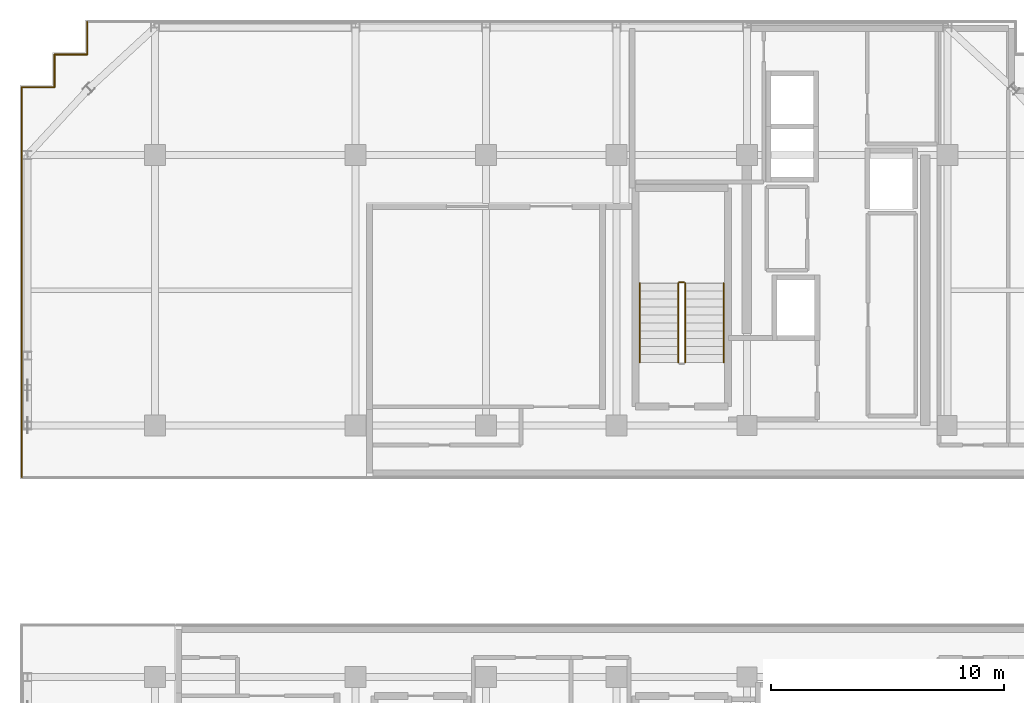
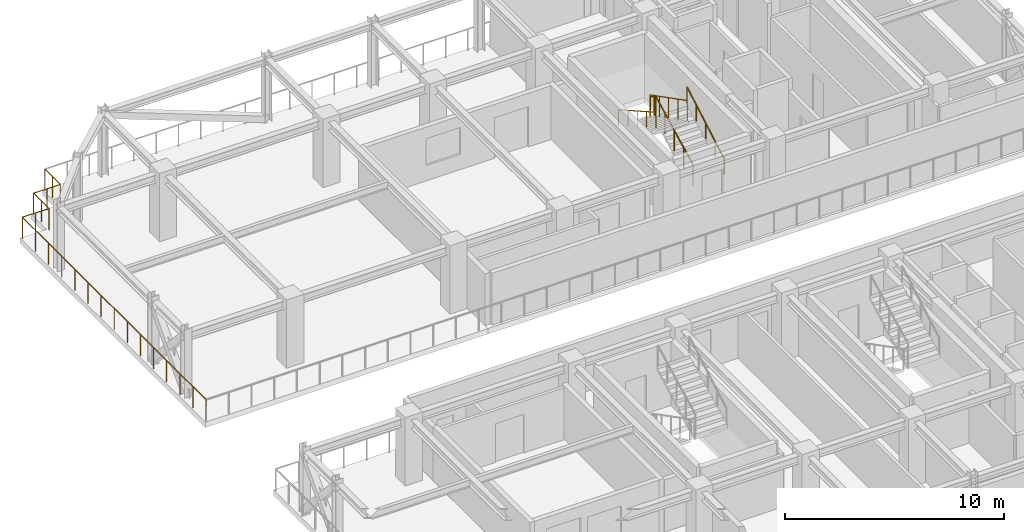
# One storey, part 13 of 14: 10 railings.
"""IFC4 building model written with IfcOpenShell, lengths in metres."""

from ifc_helpers import new_model, si_unit, direction, frame, origin, origin_2d, place, context, subcontext, project, spatial, circle, extrude, material, type_object, element, save


model = new_model("IFC4")

# Units and contexts
model_context = context("Model", 3, precision=1e-05, world=origin(), true_north=direction((0.0, 1.0)))
body_context = subcontext(model_context, "Body", "Model", "MODEL_VIEW")
ifc_project = project(units=[si_unit("LENGTHUNIT", "METRE"), si_unit("AREAUNIT", "SQUARE_METRE"), si_unit("VOLUMEUNIT", "CUBIC_METRE"), si_unit("PLANEANGLEUNIT", "RADIAN"), si_unit("MASSUNIT", "GRAM", prefix="KILO")], contexts=[model_context])

# Site, building, storey
site_placement = place(None, origin())
site = spatial("IfcSite", under=ifc_project, at=site_placement, CompositionType="ELEMENT")
building_placement = place(site_placement, origin())
building = spatial("IfcBuilding", under=site, at=building_placement, Name="Nahalor Promenade Grand Hotel", CompositionType="ELEMENT")
storey_placement = place(building_placement, frame((0.0, 0.0, 296.5)))
storey = spatial("IfcBuildingStorey", under=building, at=storey_placement, Name="L76", CompositionType="ELEMENT", Elevation=296.5)

# Railings
ifc_material_1 = material(Name="Anodised Bronze Aluminium EN AW-6063 T6", Category="aluminium")
railing_type_1 = type_object("IfcRailingType", Name="Bronze Balcony Guardrail 1200 mm", PredefinedType="GUARDRAIL", material=ifc_material_1)
railing_1_placement = place(storey_placement, frame((-19.919921875, 22.719970703125, 0.0)))
element("IfcRailing", 1, at=railing_1_placement, inside=storey, type_object=railing_type_1, Name="L76 Edge Guardrail RL-L76-WP-N-8", PredefinedType="GUARDRAIL", context=body_context, shape_type="SweptSolid", body=[
    extrude(circle(Radius=0.024048, at=origin_2d()), frame((0.0, 0.0, 1.17578125), z_axis=(0.0, -1.0, 0.0), x_axis=(1.0, 0.0, 0.0)), (0.0, 0.0, 1.0), 1.39990234375),
    extrude(circle(Radius=0.020996, at=origin_2d()), origin(), (0.0, 0.0, 1.0), 1.14990234375),
    extrude(circle(Radius=0.020996, at=origin_2d()), frame((0.0, -0.699951171875, 0.0)), (0.0, 0.0, 1.0), 1.14990234375),
    extrude(circle(Radius=0.020996, at=origin_2d()), frame((0.0, -1.39990234375, 0.0)), (0.0, 0.0, 1.0), 1.14990234375),
])
railing_2_placement = place(storey_placement, frame((-19.919921875, 21.320068359375, 0.0)))
element("IfcRailing", 2, at=railing_2_placement, inside=storey, type_object=railing_type_1, Name="L76 Edge Guardrail RL-L76-WP-N-9", PredefinedType="GUARDRAIL", context=body_context, shape_type="SweptSolid", body=[
    extrude(circle(Radius=0.024048, at=origin_2d()), frame((0.0, 0.0, 1.17578125), z_axis=(-1.0, 0.0, 0.0), x_axis=(0.0, -1.0, 0.0)), (0.0, 0.0, 1.0), 1.400146484375),
    extrude(circle(Radius=0.020996, at=origin_2d()), origin(), (0.0, 0.0, 1.0), 1.14990234375),
    extrude(circle(Radius=0.020996, at=origin_2d()), frame((-0.7001953125, 0.0, 0.0)), (0.0, 0.0, 1.0), 1.14990234375),
    extrude(circle(Radius=0.020996, at=origin_2d()), frame((-1.400146484375, 0.0, 0.0)), (0.0, 0.0, 1.0), 1.14990234375),
])
railing_3_placement = place(storey_placement, frame((-21.320068359375, 21.320068359375, 0.0)))
element("IfcRailing", 3, at=railing_3_placement, inside=storey, type_object=railing_type_1, Name="L76 Edge Guardrail RL-L76-WP-N-10", PredefinedType="GUARDRAIL", context=body_context, shape_type="SweptSolid", body=[
    extrude(circle(Radius=0.024048, at=origin_2d()), frame((0.0, 0.0, 1.17578125), z_axis=(0.0, -1.0, 0.0), x_axis=(1.0, 0.0, 0.0)), (0.0, 0.0, 1.0), 1.400146484375),
    extrude(circle(Radius=0.020996, at=origin_2d()), origin(), (0.0, 0.0, 1.0), 1.14990234375),
    extrude(circle(Radius=0.020996, at=origin_2d()), frame((0.0, -0.7001953125, 0.0)), (0.0, 0.0, 1.0), 1.14990234375),
    extrude(circle(Radius=0.020996, at=origin_2d()), frame((0.0, -1.400146484375, 0.0)), (0.0, 0.0, 1.0), 1.14990234375),
])
railing_4_placement = place(storey_placement, frame((-21.320068359375, 19.919921875, 0.0)))
element("IfcRailing", 4, at=railing_4_placement, inside=storey, type_object=railing_type_1, Name="L76 Edge Guardrail RL-L76-WP-N-11", PredefinedType="GUARDRAIL", context=body_context, shape_type="SweptSolid", body=[
    extrude(circle(Radius=0.024048, at=origin_2d()), frame((0.0, 0.0, 1.17578125), z_axis=(-1.0, 0.0, 0.0), x_axis=(0.0, -1.0, 0.0)), (0.0, 0.0, 1.0), 1.39990234375),
    extrude(circle(Radius=0.020996, at=origin_2d()), origin(), (0.0, 0.0, 1.0), 1.14990234375),
    extrude(circle(Radius=0.020996, at=origin_2d()), frame((-0.699951171875, 0.0, 0.0)), (0.0, 0.0, 1.0), 1.14990234375),
    extrude(circle(Radius=0.020996, at=origin_2d()), frame((-1.39990234375, 0.0, 0.0)), (0.0, 0.0, 1.0), 1.14990234375),
])
railing_5_placement = place(storey_placement, frame((-22.719970703125, 19.919921875, 0.0)))
element("IfcRailing", 5, at=railing_5_placement, inside=storey, type_object=railing_type_1, Name="L76 Edge Guardrail RL-L76-WP-N-12", PredefinedType="GUARDRAIL", context=body_context, shape_type="SweptSolid", body=[
    extrude(circle(Radius=0.024048, at=origin_2d()), frame((0.0, 0.0, 1.17578125), z_axis=(0.0, -1.0, 0.0), x_axis=(1.0, 0.0, 0.0)), (0.0, 0.0, 1.0), 16.739990234375),
    extrude(circle(Radius=0.020996, at=origin_2d()), origin(), (0.0, 0.0, 1.0), 1.14990234375),
    extrude(circle(Radius=0.020996, at=origin_2d()), frame((0.0, -1.19580078125, 0.0)), (0.0, 0.0, 1.0), 1.14990234375),
    extrude(circle(Radius=0.020996, at=origin_2d()), frame((0.0, -2.391357421875, 0.0)), (0.0, 0.0, 1.0), 1.14990234375),
    extrude(circle(Radius=0.020996, at=origin_2d()), frame((0.0, -3.587158203125, 0.0)), (0.0, 0.0, 1.0), 1.14990234375),
    extrude(circle(Radius=0.020996, at=origin_2d()), frame((0.0, -4.782958984375, 0.0)), (0.0, 0.0, 1.0), 1.14990234375),
    extrude(circle(Radius=0.020996, at=origin_2d()), frame((0.0, -5.978515625, 0.0)), (0.0, 0.0, 1.0), 1.14990234375),
    extrude(circle(Radius=0.020996, at=origin_2d()), frame((0.0, -7.17431640625, 0.0)), (0.0, 0.0, 1.0), 1.14990234375),
    extrude(circle(Radius=0.020996, at=origin_2d()), frame((0.0, -8.3701171875, 0.0)), (0.0, 0.0, 1.0), 1.14990234375),
    extrude(circle(Radius=0.020996, at=origin_2d()), frame((0.0, -9.565673828125, 0.0)), (0.0, 0.0, 1.0), 1.14990234375),
    extrude(circle(Radius=0.020996, at=origin_2d()), frame((0.0, -10.761474609375, 0.0)), (0.0, 0.0, 1.0), 1.14990234375),
    extrude(circle(Radius=0.020996, at=origin_2d()), frame((0.0, -11.95703125, 0.0)), (0.0, 0.0, 1.0), 1.14990234375),
    extrude(circle(Radius=0.020996, at=origin_2d()), frame((0.0, -13.15283203125, 0.0)), (0.0, 0.0, 1.0), 1.14990234375),
    extrude(circle(Radius=0.020996, at=origin_2d()), frame((0.0, -14.3486328125, 0.0)), (0.0, 0.0, 1.0), 1.14990234375),
    extrude(circle(Radius=0.020996, at=origin_2d()), frame((0.0, -15.544189453125, 0.0)), (0.0, 0.0, 1.0), 1.14990234375),
    extrude(circle(Radius=0.020996, at=origin_2d()), frame((0.0, -16.739990234375, 0.0)), (0.0, 0.0, 1.0), 1.14990234375),
])
ifc_material_2 = material(Name="Steel S355JR", Category="steel")
railing_type_2 = type_object("IfcRailingType", Name="Steel Stair Guardrail 1150 mm", PredefinedType="GUARDRAIL", material=ifc_material_2)
railing_6_placement = place(storey_placement, frame((5.75, 8.10009765625, 0.175048828125)))
element("IfcRailing", 6, at=railing_6_placement, inside=storey, type_object=railing_type_2, Name="L76 ST1 stair guard 1", PredefinedType="GUARDRAIL", context=body_context, shape_type="SweptSolid", body=[
    extrude(circle(Radius=0.024048, at=origin_2d()), frame((0.0, 0.0, 1.1259765625), z_axis=(0.0, 0.889130461562, 0.457653823673), x_axis=(-1.0, 0.0, 0.0)), (0.0, 0.0, 1.0), 3.82373046875),
    extrude(circle(Radius=0.020996, at=origin_2d()), origin(), (0.0, 0.0, 1.0), 1.099853515625),
    extrude(circle(Radius=0.020996, at=origin_2d()), frame((0.0, 0.85009765625, 0.4375)), (0.0, 0.0, 1.0), 1.099853515625),
    extrude(circle(Radius=0.020996, at=origin_2d()), frame((0.0, 1.699951171875, 0.875)), (0.0, 0.0, 1.0), 1.099853515625),
    extrude(circle(Radius=0.020996, at=origin_2d()), frame((0.0, 2.5498046875, 1.3125)), (0.0, 0.0, 1.0), 1.099853515625),
    extrude(circle(Radius=0.020996, at=origin_2d()), frame((0.0, 3.39990234375, 1.75)), (0.0, 0.0, 1.0), 1.099853515625),
])
railing_7_placement = place(storey_placement, frame((5.699951171875, 11.550048828125, 1.925048828125)))
element("IfcRailing", 7, at=railing_7_placement, inside=storey, type_object=railing_type_2, Name="L76 ST1 stair guard 2", PredefinedType="GUARDRAIL", context=body_context, shape_type="SweptSolid", body=[
    extrude(circle(Radius=0.024048, at=origin_2d()), frame((0.0, 0.0, 1.1259765625), z_axis=(-1.0, 0.0, 0.0), x_axis=(0.0, -1.0, 0.0)), (0.0, 0.0, 1.0), 0.199951171875),
    extrude(circle(Radius=0.020996, at=origin_2d()), origin(), (0.0, 0.0, 1.0), 1.099853515625),
    extrude(circle(Radius=0.020996, at=origin_2d()), frame((-0.199951171875, 0.0, 0.0)), (0.0, 0.0, 1.0), 1.099853515625),
])
railing_8_placement = place(storey_placement, frame((5.449951171875, 11.5, 2.10009765625)))
element("IfcRailing", 8, at=railing_8_placement, inside=storey, type_object=railing_type_2, Name="L76 ST1 stair guard 3", PredefinedType="GUARDRAIL", context=body_context, shape_type="SweptSolid", body=[
    extrude(circle(Radius=0.024048, at=origin_2d()), frame((0.0, 0.0, 1.1259765625), z_axis=(0.0, -0.889130461562, 0.457653823673), x_axis=(1.0, 0.0, 0.0)), (0.0, 0.0, 1.0), 3.82373046875),
    extrude(circle(Radius=0.020996, at=origin_2d()), origin(), (0.0, 0.0, 1.0), 1.099853515625),
    extrude(circle(Radius=0.020996, at=origin_2d()), frame((0.0, -0.85009765625, 0.4375)), (0.0, 0.0, 1.0), 1.099853515625),
    extrude(circle(Radius=0.020996, at=origin_2d()), frame((0.0, -1.699951171875, 0.875)), (0.0, 0.0, 1.0), 1.099853515625),
    extrude(circle(Radius=0.020996, at=origin_2d()), frame((0.0, -2.5498046875, 1.3125)), (0.0, 0.0, 1.0), 1.099853515625),
    extrude(circle(Radius=0.020996, at=origin_2d()), frame((0.0, -3.39990234375, 1.75)), (0.0, 0.0, 1.0), 1.099853515625),
])
railing_type_3 = type_object("IfcRailingType", Name="Steel Stair Handrail 900 mm", PredefinedType="HANDRAIL", material=ifc_material_2)
railing_9_placement = place(storey_placement, frame((7.39990234375, 8.10009765625, 0.175048828125)))
element("IfcRailing", 9, at=railing_9_placement, inside=storey, type_object=railing_type_3, Name="L76 ST1 stair handrail 1", PredefinedType="HANDRAIL", context=body_context, shape_type="SweptSolid", body=[
    extrude(circle(Radius=0.024048, at=origin_2d()), frame((0.0, 0.0, 0.8759765625), z_axis=(0.0, 0.870193670192, 0.492709829776), x_axis=(-1.0, 0.0, 0.0)), (0.0, 0.0, 1.0), 3.906982421875),
    extrude(circle(Radius=0.020996, at=origin_2d()), origin(), (0.0, 0.0, 1.0), 0.849853515625),
    extrude(circle(Radius=0.020996, at=origin_2d()), frame((0.0, 0.85009765625, 0.481201171875)), (0.0, 0.0, 1.0), 0.849853515625),
    extrude(circle(Radius=0.020996, at=origin_2d()), frame((0.0, 1.699951171875, 0.96240234375)), (0.0, 0.0, 1.0), 0.849853515625),
    extrude(circle(Radius=0.020996, at=origin_2d()), frame((0.0, 2.5498046875, 1.44384765625)), (0.0, 0.0, 1.0), 0.849853515625),
    extrude(circle(Radius=0.020996, at=origin_2d()), frame((0.0, 3.39990234375, 1.925048828125)), (0.0, 0.0, 1.0), 0.849853515625),
])
railing_10_placement = place(storey_placement, frame((3.800048828125, 11.5, 2.10009765625)))
element("IfcRailing", 10, at=railing_10_placement, inside=storey, type_object=railing_type_3, Name="L76 ST1 stair handrail 2", PredefinedType="HANDRAIL", context=body_context, shape_type="SweptSolid", body=[
    extrude(circle(Radius=0.024048, at=origin_2d()), frame((0.0, 0.0, 0.8759765625), z_axis=(0.0, -0.870220461208, 0.492662510137), x_axis=(1.0, 0.0, 0.0)), (0.0, 0.0, 1.0), 3.906982421875),
    extrude(circle(Radius=0.020996, at=origin_2d()), origin(), (0.0, 0.0, 1.0), 0.849853515625),
    extrude(circle(Radius=0.020996, at=origin_2d()), frame((0.0, -0.85009765625, 0.481201171875)), (0.0, 0.0, 1.0), 0.849853515625),
    extrude(circle(Radius=0.020996, at=origin_2d()), frame((0.0, -1.699951171875, 0.96240234375)), (0.0, 0.0, 1.0), 0.849853515625),
    extrude(circle(Radius=0.020996, at=origin_2d()), frame((0.0, -2.5498046875, 1.443603515625)), (0.0, 0.0, 1.0), 0.849853515625),
    extrude(circle(Radius=0.020996, at=origin_2d()), frame((0.0, -3.39990234375, 1.9248046875)), (0.0, 0.0, 1.0), 0.849853515625),
])

save(model, "model.ifc")
